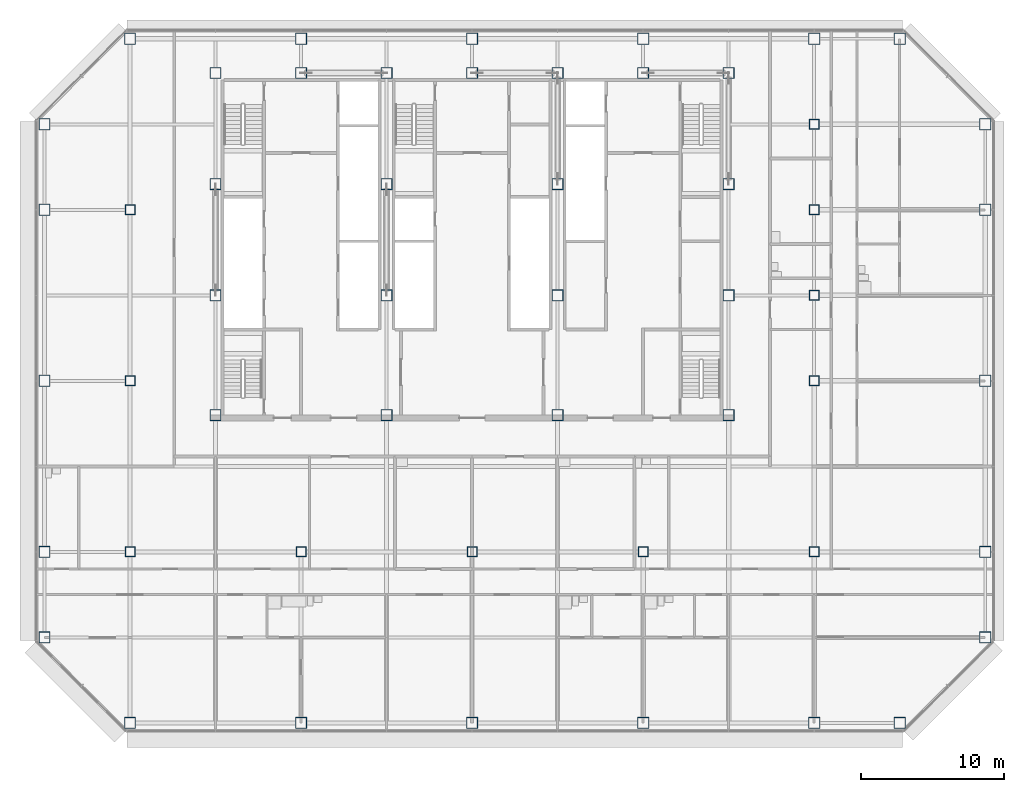
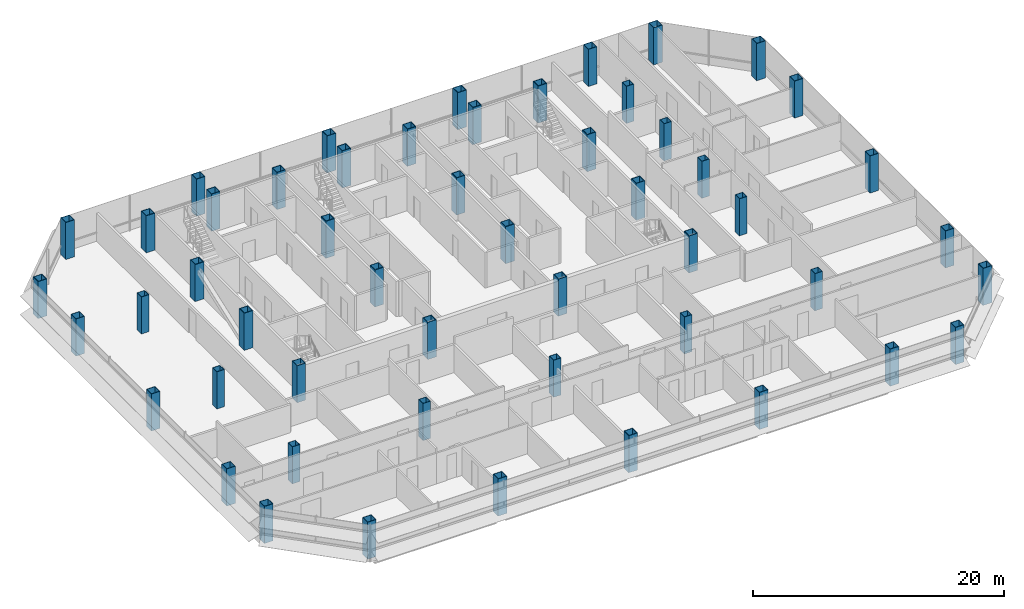
# One storey, part 1 of 25: 52 columns.
"""IFC4 building model written with IfcOpenShell, lengths in metres."""

from ifc_helpers import new_model, si_unit, direction, frame, origin, origin_2d, place, context, subcontext, project, spatial, hollow_rectangle, extrude, material, material_profile, profile_set, type_object, element, save


model = new_model("IFC4")

# Units and contexts
model_context = context("Model", 3, precision=1e-05, world=origin(), true_north=direction((0.0, 1.0)))
body_context = subcontext(model_context, "Body", "Model", "MODEL_VIEW")
ifc_project = project(units=[si_unit("LENGTHUNIT", "METRE"), si_unit("AREAUNIT", "SQUARE_METRE"), si_unit("VOLUMEUNIT", "CUBIC_METRE"), si_unit("PLANEANGLEUNIT", "RADIAN"), si_unit("MASSUNIT", "GRAM", prefix="KILO")], contexts=[model_context])

# Site, building, storey
site_placement = place(None, origin())
site = spatial("IfcSite", under=ifc_project, at=site_placement, CompositionType="ELEMENT")
building_placement = place(site_placement, origin())
building = spatial("IfcBuilding", under=site, at=building_placement, Name="Sorahane Residences", CompositionType="ELEMENT")
storey_placement = place(building_placement, frame((0.0, 0.0, 126.800048828125)))
storey = spatial("IfcBuildingStorey", under=building, at=storey_placement, Name="L28", CompositionType="ELEMENT", Elevation=126.800048828125)

# Columns
ifc_material_1 = material(Name="Steel Q355B", Category="steel")
ifc_material_profile_1 = material_profile(ifc_material_1, hollow_rectangle(XDim=0.699951171875, YDim=0.699951171875, WallThickness=0.035888671875, at=origin_2d()), Name="BOX 700x700x36")
ifc_profile_set_1 = profile_set([ifc_material_profile_1], Name="Steel Q355B")
column_type_1 = type_object("IfcColumnType", Name="Steel box column BOX 700x700x36 Q355B", PredefinedType="COLUMN", material=ifc_profile_set_1)
for number, where, z_axis, x_axis, name in (
    (1, (0.0, 12.0, 0.0), (0.0, 0.0, 1.0), (1.0, 0.0, 0.0), "Column L28 0/12"),
    (2, (0.0, 24.0, 0.0), (0.0, 0.0, 1.0), (1.0, 0.0, 0.0), "Column L28 0/24"),
    (3, (0.0, 36.0, 0.0), (0.0, 0.0, 1.0), (1.0, 0.0, 0.0), "Column L28 0/36"),
    (4, (12.0, 12.0, 0.0), (0.0, 0.0, 1.0), (1.0, 0.0, 0.0), "Column L28 12/12"),
    (5, (24.0, 12.0, 0.0), (0.0, 0.0, 1.0), (1.0, 0.0, 0.0), "Column L28 24/12"),
    (6, (36.0, 12.0, 0.0), (0.0, 0.0, 1.0), (1.0, 0.0, 0.0), "Column L28 36/12"),
    (7, (48.0, 12.0, 0.0), (0.0, 0.0, 1.0), (1.0, 0.0, 0.0), "Column L28 48/12"),
    (8, (48.0, 24.0, 0.0), (0.0, 0.0, 1.0), (1.0, 0.0, 0.0), "Column L28 48/24"),
    (9, (48.0, 30.0, 0.0), (0.0, 0.0, 1.0), (1.0, 0.0, 0.0), "Column L28 48/30"),
    (10, (48.0, 36.0, 0.0), (0.0, 0.0, 1.0), (1.0, 0.0, 0.0), "Column L28 48/36"),
    (11, (48.0, 42.0, 0.0), (0.0, 0.0, 1.0), (1.0, 0.0, 0.0), "Column L28 48/42"),
):
    element("IfcColumn", number, at=place(storey_placement, frame(where, z_axis=z_axis, x_axis=x_axis)), inside=storey, type_object=column_type_1, Name=name, PredefinedType="COLUMN", context=body_context, shape_type="SweptSolid", body=[
        extrude(hollow_rectangle(XDim=0.699951171875, YDim=0.699951171875, WallThickness=0.035888671875, at=origin_2d()), origin(), (0.0, 0.0, 1.0), 3.599853515625),
    ])
ifc_material_2 = material(Name="Steel Q355B", Category="steel")
ifc_material_profile_2 = material_profile(ifc_material_2, hollow_rectangle(XDim=0.800048828125, YDim=0.800048828125, WallThickness=0.0400390625, at=origin_2d()), Name="BOX 800x800x40")
ifc_profile_set_2 = profile_set([ifc_material_profile_2], Name="Steel Q355B")
column_type_2 = type_object("IfcColumnType", Name="Steel box column BOX 800x800x40 Q355B", PredefinedType="COLUMN", material=ifc_profile_set_2)
for number, where, z_axis, x_axis, name in (
    (12, (-6.0, 6.0, 0.0), (0.0, 0.0, 1.0), (1.0, 0.0, 0.0), "Column L28 m6/6"),
    (13, (-6.0, 12.0, 0.0), (0.0, 0.0, 1.0), (1.0, 0.0, 0.0), "Column L28 m6/12"),
    (14, (-6.0, 24.0, 0.0), (0.0, 0.0, 1.0), (1.0, 0.0, 0.0), "Column L28 m6/24"),
    (15, (-6.0, 36.0, 0.0), (0.0, 0.0, 1.0), (1.0, 0.0, 0.0), "Column L28 m6/36"),
    (16, (-6.0, 42.0, 0.0), (0.0, 0.0, 1.0), (1.0, 0.0, 0.0), "Column L28 m6/42"),
    (17, (0.0, 0.0, 0.0), (0.0, 0.0, 1.0), (1.0, 0.0, 0.0), "Column L28 0/0"),
    (18, (0.0, 48.0, 0.0), (0.0, 0.0, 1.0), (1.0, 0.0, 0.0), "Column L28 0/48"),
    (19, (12.0, 0.0, 0.0), (0.0, 0.0, 1.0), (1.0, 0.0, 0.0), "Column L28 12/0"),
    (20, (12.0, 48.0, 0.0), (0.0, 0.0, 1.0), (1.0, 0.0, 0.0), "Column L28 12/48"),
    (21, (24.0, 0.0, 0.0), (0.0, 0.0, 1.0), (1.0, 0.0, 0.0), "Column L28 24/0"),
    (22, (24.0, 48.0, 0.0), (0.0, 0.0, 1.0), (1.0, 0.0, 0.0), "Column L28 24/48"),
    (23, (36.0, 0.0, 0.0), (0.0, 0.0, 1.0), (1.0, 0.0, 0.0), "Column L28 36/0"),
    (24, (36.0, 48.0, 0.0), (0.0, 0.0, 1.0), (1.0, 0.0, 0.0), "Column L28 36/48"),
    (25, (48.0, 0.0, 0.0), (0.0, 0.0, 1.0), (1.0, 0.0, 0.0), "Column L28 48/0"),
    (26, (48.0, 48.0, 0.0), (0.0, 0.0, 1.0), (1.0, 0.0, 0.0), "Column L28 48/48"),
    (27, (54.0, 0.0, 0.0), (0.0, 0.0, 1.0), (1.0, 0.0, 0.0), "Column L28 54/0"),
    (28, (54.0, 48.0, 0.0), (0.0, 0.0, 1.0), (1.0, 0.0, 0.0), "Column L28 54/48"),
    (29, (60.0, 6.0, 0.0), (0.0, 0.0, 1.0), (1.0, 0.0, 0.0), "Column L28 60/6"),
    (30, (60.0, 12.0, 0.0), (0.0, 0.0, 1.0), (1.0, 0.0, 0.0), "Column L28 60/12"),
    (31, (60.0, 24.0, 0.0), (0.0, 0.0, 1.0), (1.0, 0.0, 0.0), "Column L28 60/24"),
    (32, (60.0, 36.0, 0.0), (0.0, 0.0, 1.0), (1.0, 0.0, 0.0), "Column L28 60/36"),
    (33, (60.0, 42.0, 0.0), (0.0, 0.0, 1.0), (1.0, 0.0, 0.0), "Column L28 60/42"),
):
    element("IfcColumn", number, at=place(storey_placement, frame(where, z_axis=z_axis, x_axis=x_axis)), inside=storey, type_object=column_type_2, Name=name, PredefinedType="COLUMN", context=body_context, shape_type="SweptSolid", body=[
        extrude(hollow_rectangle(XDim=0.800048828125, YDim=0.800048828125, WallThickness=0.0400390625, at=origin_2d()), origin(), (0.0, 0.0, 1.0), 3.599853515625),
    ])
ifc_material_3 = material(Name="Steel Q420GJ", Category="steel")
ifc_material_profile_3 = material_profile(ifc_material_3, hollow_rectangle(XDim=0.800048828125, YDim=0.800048828125, WallThickness=0.050048828125, at=origin_2d()), Name="BOX 800x800x50")
ifc_profile_set_3 = profile_set([ifc_material_profile_3], Name="Steel Q420GJ")
column_type_3 = type_object("IfcColumnType", Name="Steel box column BOX 800x800x50 Q420GJ", PredefinedType="COLUMN", material=ifc_profile_set_3)
for number, where, z_axis, x_axis, name in (
    (34, (6.0, 21.60009765625, 0.0), (0.0, 0.0, 1.0), (1.0, 0.0, 0.0), "Column L28 6/21.6"),
    (35, (6.0, 30.0, 0.0), (0.0, 0.0, 1.0), (1.0, 0.0, 0.0), "Column L28 6/30"),
    (36, (6.0, 37.800048828125, 0.0), (0.0, 0.0, 1.0), (1.0, 0.0, 0.0), "Column L28 6/37.8"),
    (37, (6.0, 45.60009765625, 0.0), (0.0, 0.0, 1.0), (1.0, 0.0, 0.0), "Column L28 6/45.6"),
    (38, (12.0, 45.60009765625, 0.0), (0.0, 0.0, 1.0), (1.0, 0.0, 0.0), "Column L28 12/45.6"),
    (39, (18.0, 21.60009765625, 0.0), (0.0, 0.0, 1.0), (1.0, 0.0, 0.0), "Column L28 18/21.6"),
    (40, (18.0, 30.0, 0.0), (0.0, 0.0, 1.0), (1.0, 0.0, 0.0), "Column L28 18/30"),
    (41, (18.0, 37.800048828125, 0.0), (0.0, 0.0, 1.0), (1.0, 0.0, 0.0), "Column L28 18/37.8"),
    (42, (18.0, 45.60009765625, 0.0), (0.0, 0.0, 1.0), (1.0, 0.0, 0.0), "Column L28 18/45.6"),
    (43, (24.0, 45.60009765625, 0.0), (0.0, 0.0, 1.0), (1.0, 0.0, 0.0), "Column L28 24/45.6"),
    (44, (30.0, 21.60009765625, 0.0), (0.0, 0.0, 1.0), (1.0, 0.0, 0.0), "Column L28 30/21.6"),
    (45, (30.0, 30.0, 0.0), (0.0, 0.0, 1.0), (1.0, 0.0, 0.0), "Column L28 30/30"),
    (46, (30.0, 37.800048828125, 0.0), (0.0, 0.0, 1.0), (1.0, 0.0, 0.0), "Column L28 30/37.8"),
    (47, (30.0, 45.60009765625, 0.0), (0.0, 0.0, 1.0), (1.0, 0.0, 0.0), "Column L28 30/45.6"),
    (48, (36.0, 45.60009765625, 0.0), (0.0, 0.0, 1.0), (1.0, 0.0, 0.0), "Column L28 36/45.6"),
    (49, (42.0, 21.60009765625, 0.0), (0.0, 0.0, 1.0), (1.0, 0.0, 0.0), "Column L28 42/21.6"),
    (50, (42.0, 30.0, 0.0), (0.0, 0.0, 1.0), (1.0, 0.0, 0.0), "Column L28 42/30"),
    (51, (42.0, 37.800048828125, 0.0), (0.0, 0.0, 1.0), (1.0, 0.0, 0.0), "Column L28 42/37.8"),
    (52, (42.0, 45.60009765625, 0.0), (0.0, 0.0, 1.0), (1.0, 0.0, 0.0), "Column L28 42/45.6"),
):
    element("IfcColumn", number, at=place(storey_placement, frame(where, z_axis=z_axis, x_axis=x_axis)), inside=storey, type_object=column_type_3, Name=name, PredefinedType="COLUMN", context=body_context, shape_type="SweptSolid", body=[
        extrude(hollow_rectangle(XDim=0.800048828125, YDim=0.800048828125, WallThickness=0.050048828125, at=origin_2d()), origin(), (0.0, 0.0, 1.0), 3.599853515625),
    ])

save(model, "model.ifc")
